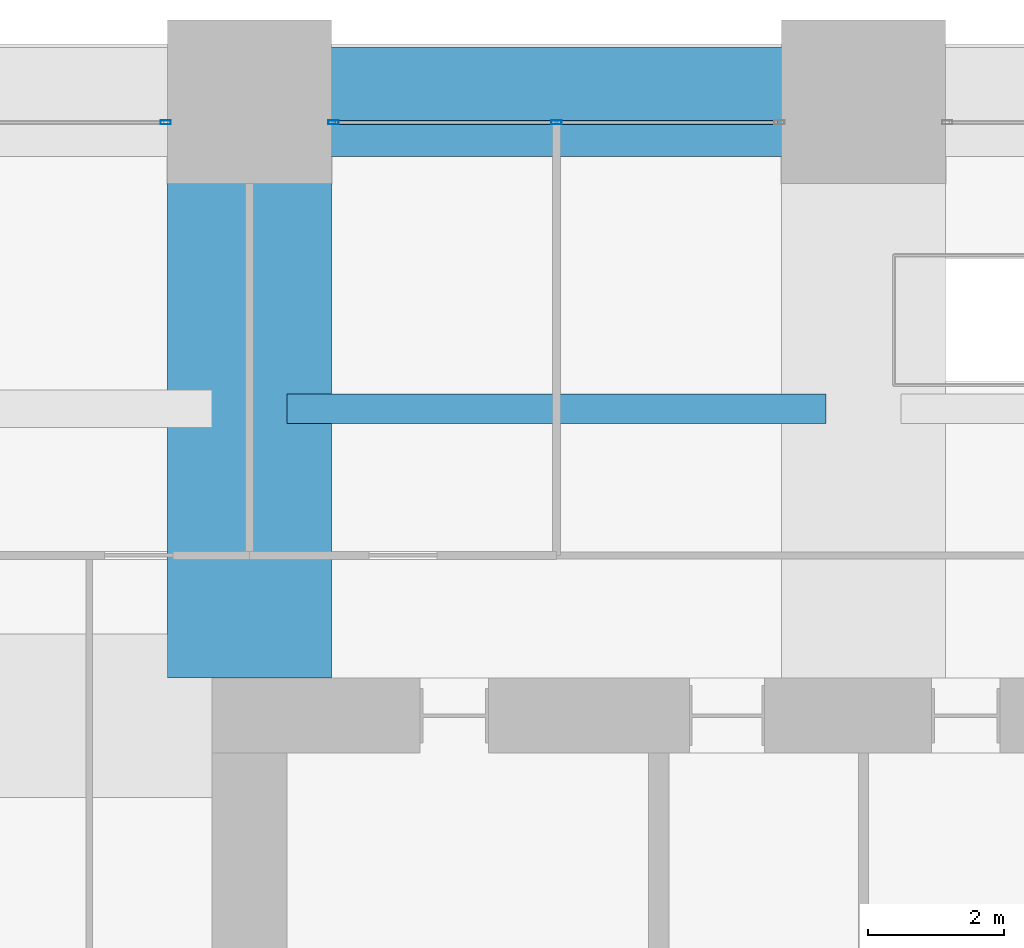
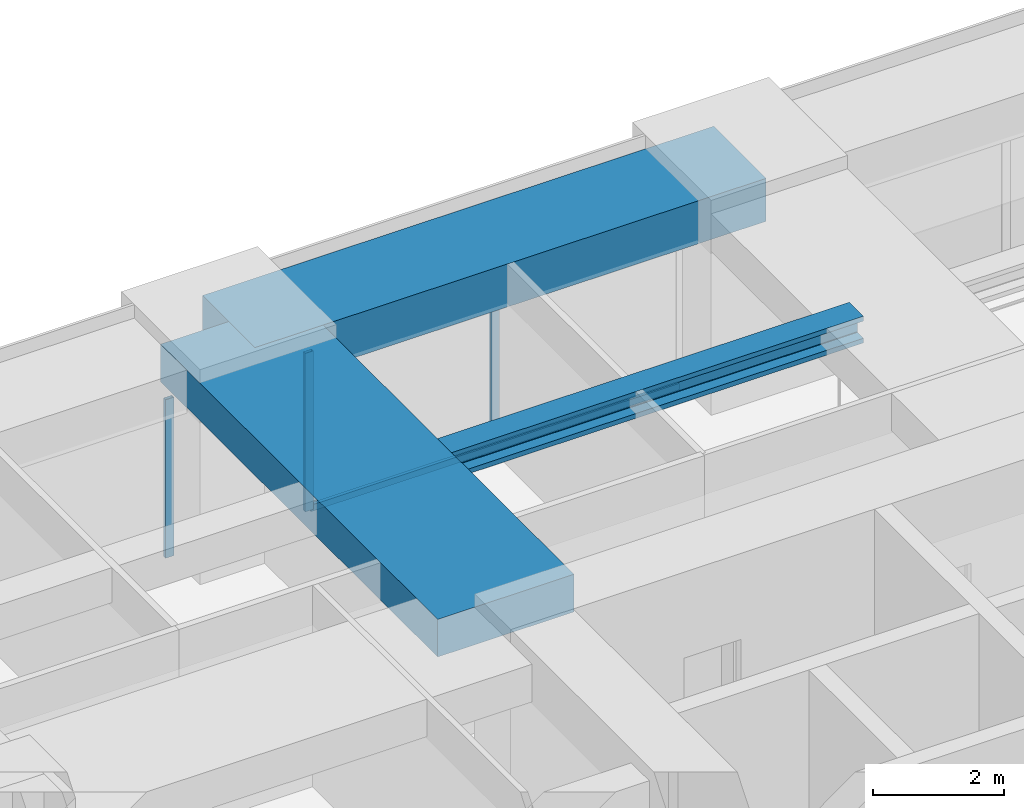
# One storey, part 23 of 35: 4 members, 3 beams, 2 elements without a shape of their own.
"""IFC4 building model written with IfcOpenShell, lengths in metres."""

import ifcopenshell
import ifcopenshell.guid

model = None  # the IFC model being written
_history = None  # IfcOwnerHistory: only IFC2X3 demands one
_inside = {}  # id of a spatial element -> (the spatial element, [elements in it])
_under = {}  # id of a project, library or spatial element -> (it, [spatial elements below it])
_declared = {}  # id of a project -> (the project, [libraries it declares])
_typed = {}  # id of a type object -> (the type object, [elements of that type])
_made_of = {}  # id of a material, layer set ... -> (it, [elements and type objects made of it])


def new_model(schema):
    """Start an empty IFC model of exactly this schema.

    Asked for "IFC4X3", IfcOpenShell would pick the latest addendum, in which some entities
    have other attributes; the version numbers below select the first issue.
    IFC2X3 requires an IfcOwnerHistory on every rooted entity: one is made here for all.
    """
    global model, _history
    if schema == "IFC4X3":
        model = ifcopenshell.file(schema_version=(4, 3, 0, 0))
    else:
        model = ifcopenshell.file(schema=schema)
    _inside.clear()
    _under.clear()
    _declared.clear()
    _typed.clear()
    _made_of.clear()
    _history = None
    if model.schema == "IFC2X3":
        org = make("IfcOrganization", Name="unknown")
        user = make(
            "IfcPersonAndOrganization",
            ThePerson=make("IfcPerson", FamilyName="unknown"),
            TheOrganization=org,
        )
        app = make(
            "IfcApplication",
            ApplicationDeveloper=org,
            Version="unknown",
            ApplicationFullName="unknown",
            ApplicationIdentifier="unknown",
        )
        _history = make(
            "IfcOwnerHistory",
            OwningUser=user,
            OwningApplication=app,
            ChangeAction="ADDED",
            CreationDate=0,
        )
    return model


def make(cls, **values):
    """One entity of the class cls with the attributes given. An attribute that is None is left unset."""
    return model.create_entity(
        cls, **{name: value for name, value in values.items() if value is not None}
    )


def rooted(cls, **values):
    """An entity with a GlobalId (a new one), such as an element, a storey or a relation."""
    return make(cls, GlobalId=ifcopenshell.guid.new(), OwnerHistory=_history, **values)


def si_unit(unit_type, name, prefix=None):
    """IfcSIUnit, for example si_unit("LENGTHUNIT", "METRE", prefix="MILLI")."""
    return make("IfcSIUnit", UnitType=unit_type, Prefix=prefix, Name=name)


def assignment(units):
    """IfcUnitAssignment: the units of a project."""
    return None if units is None else make("IfcUnitAssignment", Units=units)


def point(xyz):
    """IfcCartesianPoint."""
    return None if xyz is None else make("IfcCartesianPoint", Coordinates=xyz)


def direction(xyz):
    """IfcDirection."""
    return None if xyz is None else make("IfcDirection", DirectionRatios=xyz)


def frame(location, z_axis=None, x_axis=None):
    """IfcAxis2Placement3D, a coordinate frame: its origin and axes. An axis left out is left unset."""
    return make(
        "IfcAxis2Placement3D",
        Location=point(location),
        Axis=direction(z_axis),
        RefDirection=direction(x_axis),
    )


def frame_2d(location, x_axis=None):
    """IfcAxis2Placement2D, a coordinate frame in the plane: its origin and x axis."""
    return make(
        "IfcAxis2Placement2D", Location=point(location), RefDirection=direction(x_axis)
    )


def origin():
    """The frame at (0, 0, 0) with its axes left unset."""
    return frame((0.0, 0.0, 0.0))


def origin_2d():
    """The frame at (0, 0) in the plane with its x axis left unset."""
    return frame_2d((0.0, 0.0))


def place(relative_to, where):
    """IfcLocalPlacement: puts the frame where relative to a parent placement (None: the world)."""
    return make(
        "IfcLocalPlacement", PlacementRelTo=relative_to, RelativePlacement=where
    )


def context(
    kind, dimensions, precision=None, world=None, true_north=None, identifier=None
):
    """IfcGeometricRepresentationContext, for example the 3D "Model" context."""
    return make(
        "IfcGeometricRepresentationContext",
        ContextIdentifier=identifier,
        ContextType=kind,
        CoordinateSpaceDimension=dimensions,
        Precision=precision,
        WorldCoordinateSystem=world,
        TrueNorth=true_north,
    )


def subcontext(parent, identifier, kind, view, scale=None):
    """IfcGeometricRepresentationSubContext, for example "Body" below "Model"."""
    return make(
        "IfcGeometricRepresentationSubContext",
        ContextIdentifier=identifier,
        ContextType=kind,
        ParentContext=parent,
        TargetScale=scale,
        TargetView=view,
    )


def project(units=None, contexts=None):
    """IfcProject with its units and contexts."""
    return rooted(
        "IfcProject",
        Name="project",
        RepresentationContexts=contexts,
        UnitsInContext=assignment(units),
    )


def spatial(cls, under=None, at=None, **own):
    """A site, building, storey or space (cls), placed at a placement, below another one or the project."""
    s = rooted(cls, ObjectPlacement=at, **own)
    if under is not None:
        _under.setdefault(under.id(), (under, []))[1].append(s)
    return s


def profile(cls, at=None, kind="AREA", **sizes):
    """A parametric profile (cls). Its sizes go by their IFC names, for example OverallWidth=200.0."""
    return make(cls, ProfileType=kind, Position=at, **sizes)


def rectangle(**sizes):
    """IfcRectangleProfileDef."""
    return profile("IfcRectangleProfileDef", **sizes)


def hollow_rectangle(**sizes):
    """IfcRectangleHollowProfileDef."""
    return profile("IfcRectangleHollowProfileDef", **sizes)


def i_section(**sizes):
    """IfcIShapeProfileDef."""
    return profile("IfcIShapeProfileDef", **sizes)


def extrude(swept, where, along, depth):
    """IfcExtrudedAreaSolid: the profile swept, set in the frame where, extruded along a direction by depth."""
    return make(
        "IfcExtrudedAreaSolid",
        SweptArea=swept,
        Position=where,
        ExtrudedDirection=direction(along),
        Depth=depth,
    )


def shape(context_of_items, identifier, shape_type, items):
    """IfcShapeRepresentation: the items that make up one representation, for example the "Body"."""
    return make(
        "IfcShapeRepresentation",
        ContextOfItems=context_of_items,
        RepresentationIdentifier=identifier,
        RepresentationType=shape_type,
        Items=items,
    )


def material(Name=None, Category=None):
    """IfcMaterial."""
    return make("IfcMaterial", Name=Name, Category=Category)


def material_profile(
    of_material, cross_section, Name=None, Category=None, Priority=None
):
    """IfcMaterialProfile: a cross section and its material."""
    return make(
        "IfcMaterialProfile",
        Name=Name,
        Material=of_material,
        Profile=cross_section,
        Priority=Priority,
        Category=Category,
    )


def profile_set(profiles, Name=None, composite=None):
    """IfcMaterialProfileSet."""
    return make(
        "IfcMaterialProfileSet",
        Name=Name,
        MaterialProfiles=profiles,
        CompositeProfile=composite,
    )


def made_of(thing, what):
    """Note that an element or type object is made of a material, layer set ...; save() writes the relation."""
    if what is not None:
        _made_of.setdefault(what.id(), (what, []))[1].append(thing)
    return thing


def type_object(cls, material=None, **own):
    """A type object (cls), such as IfcWallType, which elements share."""
    return made_of(rooted(cls, **own), material)


def element(
    cls,
    number,
    at=None,
    inside=None,
    cuts=None,
    type_object=None,
    material=None,
    context=None,
    identifier="Body",
    shape_type=None,
    held_by="IfcProductDefinitionShape",
    body=None,
    shapes=None,
    **own,
):
    """One element of the class cls, such as IfcWall. Its Tag is "e" and its number.

    at: its placement. inside: the storey or other place that contains it. cuts: it is an
    opening in that element (IfcRelVoidsElement). A single representation is given by context,
    identifier, shape_type and body (its items); several are given by shapes. held_by: the class
    of the entity that holds the representations. save() writes the other relations.
    """
    e = rooted(cls, Tag="e%d" % number, ObjectPlacement=at, **own)
    if body is not None:
        shapes = [shape(context, identifier, shape_type, body)]
    if shapes is not None:
        e.Representation = make(held_by, Representations=shapes)
    if inside is not None:
        _inside.setdefault(inside.id(), (inside, []))[1].append(e)
    if cuts is not None:
        rooted(
            "IfcRelVoidsElement", RelatingBuildingElement=cuts, RelatedOpeningElement=e
        )
    if type_object is not None:
        _typed.setdefault(type_object.id(), (type_object, []))[1].append(e)
    return made_of(e, material)


def aggregate(whole, parts):
    """IfcRelAggregates: a whole, such as a stair, and the parts it consists of."""
    return rooted("IfcRelAggregates", RelatingObject=whole, RelatedObjects=parts)


def save(model, path):
    """Write the relations noted so far, then the file.

    IfcRelAggregates (storeys below a building ...), IfcRelContainedInSpatialStructure (elements
    in a storey), IfcRelDefinesByType, IfcRelAssociatesMaterial and IfcRelDeclares: one each for
    every whole, place, type object, material and project.
    """
    for whole, parts in _under.values():
        aggregate(whole, parts)
    for where, things in _inside.values():
        rooted(
            "IfcRelContainedInSpatialStructure",
            RelatedElements=things,
            RelatingStructure=where,
        )
    for kind, things in _typed.values():
        rooted("IfcRelDefinesByType", RelatedObjects=things, RelatingType=kind)
    for what, things in _made_of.values():
        rooted("IfcRelAssociatesMaterial", RelatedObjects=things, RelatingMaterial=what)
    for by, libraries in _declared.values():
        rooted("IfcRelDeclares", RelatingContext=by, RelatedDefinitions=libraries)
    model.write(path)


model = new_model("IFC4")

# Units and contexts
model_context = context("Model", 3, precision=1e-05, world=origin(), true_north=direction((0.0, 1.0)))
body_context = subcontext(model_context, "Body", "Model", "MODEL_VIEW")
ifc_project = project(units=[si_unit("LENGTHUNIT", "METRE"), si_unit("AREAUNIT", "SQUARE_METRE"), si_unit("VOLUMEUNIT", "CUBIC_METRE"), si_unit("PLANEANGLEUNIT", "RADIAN"), si_unit("MASSUNIT", "GRAM", prefix="KILO")], contexts=[model_context])

# Site, building, storey
site_placement = place(None, origin())
site = spatial("IfcSite", under=ifc_project, at=site_placement, CompositionType="ELEMENT")
building_placement = place(site_placement, origin())
building = spatial("IfcBuilding", under=site, at=building_placement, Name="Zorevar Civic Tower", CompositionType="ELEMENT")
storey_placement = place(building_placement, frame((0.0, 0.0, 218.199951171875)))
storey = spatial("IfcBuildingStorey", under=building, at=storey_placement, Name="L53", CompositionType="ELEMENT", Elevation=218.199951171875)

# Beam
ifc_material_1 = material(Name="Concrete C50/60", Category="concrete")
ifc_material_profile_1 = material_profile(ifc_material_1, rectangle(XDim=2.39990234375, YDim=0.699951171875, at=origin_2d()), Name="RC 2400x700")
ifc_profile_set_1 = profile_set([ifc_material_profile_1], Name="Concrete C50/60")
beam_type_1 = type_object("IfcBeamType", Name="Beam RC 2400x700", PredefinedType="BEAM", material=ifc_profile_set_1)
beam_1_placement = place(storey_placement, frame((18.0, 36.550048828125, 3.400146484375), z_axis=(0.0, 1.0, 0.0), x_axis=(-1.0, 0.0, 0.0)))
element("IfcBeam", 1, at=beam_1_placement, inside=storey, type_object=beam_type_1, Name="Girder L54", PredefinedType="BEAM", context=body_context, shape_type="SweptSolid", body=[
    extrude(rectangle(XDim=2.39990234375, YDim=0.699951171875, at=origin_2d()), origin(), (0.0, 0.0, 1.0), 8.449951171875),
])

# Curtain wall, member
ifc_material_2 = material(Name="Dark grey solar-control glass in black aluminium frame", Category="aluminium")
curtain_wall_type = type_object("IfcCurtainWallType", Name="Curtain wall CW4 high zone", PredefinedType="NOTDEFINED", material=ifc_material_2)
curtain_wall_1_placement = place(storey_placement, origin())
curtain_wall_1 = element("IfcCurtainWall", 2, at=curtain_wall_1_placement, inside=storey, type_object=curtain_wall_type, Name="CW4 L53", PredefinedType="NOTDEFINED")
ifc_material_3 = material(Name="Aluminium, black anodised", Category="aluminium")
ifc_material_profile_2 = material_profile(ifc_material_3, hollow_rectangle(XDim=0.06005859375, YDim=0.14990234375, WallThickness=0.00390625, at=origin_2d()), Name="AL 150x60x4")
ifc_profile_set_2 = profile_set([ifc_material_profile_2], Name="Aluminium, black anodised")
member_type_1 = type_object("IfcMemberType", Name="CW4 mullion AL 150x60x4", PredefinedType="MULLION", material=ifc_profile_set_2)
member_1_placement = place(storey_placement, frame((16.77001953125, 44.699951171875, 0.0), z_axis=(0.0, 0.0, 1.0), x_axis=(0.0, 1.0, 0.0)))
member_1 = element("IfcMember", 3, at=member_1_placement, type_object=member_type_1, Name="CW4 mullion 3", PredefinedType="MULLION", context=body_context, shape_type="SweptSolid", body=[
    extrude(hollow_rectangle(XDim=0.06005859375, YDim=0.14990234375, WallThickness=0.00390625, at=origin_2d()), origin(), (0.0, 0.0, 1.0), 2.949951171875),
])
aggregate(curtain_wall_1, [member_1])

# Curtain wall, members
curtain_wall_2_placement = place(storey_placement, origin())
curtain_wall_2 = element("IfcCurtainWall", 4, at=curtain_wall_2_placement, inside=storey, type_object=curtain_wall_type, Name="CW4 L53", PredefinedType="NOTDEFINED")
member_2_placement = place(storey_placement, frame((19.22998046875, 44.699951171875, 0.0), z_axis=(0.0, 0.0, 1.0), x_axis=(0.0, 1.0, 0.0)))
member_2 = element("IfcMember", 5, at=member_2_placement, type_object=member_type_1, Name="CW4 mullion 1", PredefinedType="MULLION", context=body_context, shape_type="SweptSolid", body=[
    extrude(hollow_rectangle(XDim=0.06005859375, YDim=0.14990234375, WallThickness=0.00390625, at=origin_2d()), origin(), (0.0, 0.0, 1.0), 2.949951171875),
])
member_3_placement = place(storey_placement, frame((22.5, 44.699951171875, 0.06005859375), z_axis=(0.0, 0.0, 1.0), x_axis=(0.0, 1.0, 0.0)))
member_3 = element("IfcMember", 6, at=member_3_placement, type_object=member_type_1, Name="CW4 mullion 2", PredefinedType="MULLION", context=body_context, shape_type="SweptSolid", body=[
    extrude(hollow_rectangle(XDim=0.06005859375, YDim=0.14990234375, WallThickness=0.00390625, at=origin_2d()), origin(), (0.0, 0.0, 1.0), 2.889892578125),
])
ifc_material_4 = material(Name="Aluminium, black anodised", Category="aluminium")
ifc_material_profile_3 = material_profile(ifc_material_4, hollow_rectangle(XDim=0.06005859375, YDim=0.1201171875, WallThickness=0.0029296875, at=origin_2d()), Name="AL 120x60x3")
ifc_profile_set_3 = profile_set([ifc_material_profile_3], Name="Aluminium, black anodised")
member_type_2 = type_object("IfcMemberType", Name="CW4 transom AL 120x60x3", PredefinedType="USERDEFINED", material=ifc_profile_set_3)
member_4_placement = place(storey_placement, frame((19.260009765625, 44.699951171875, 0.030029296875), z_axis=(1.0, 0.0, 0.0), x_axis=(0.0, 1.0, 0.0)))
member_4 = element("IfcMember", 7, at=member_4_placement, type_object=member_type_2, Name="CW4 sill transom", ObjectType="TRANSOM", PredefinedType="USERDEFINED", context=body_context, shape_type="SweptSolid", body=[
    extrude(hollow_rectangle(XDim=0.06005859375, YDim=0.1201171875, WallThickness=0.0029296875, at=origin_2d()), origin(), (0.0, 0.0, 1.0), 6.47998046875),
])
aggregate(curtain_wall_2, [member_2, member_3, member_4])

# Beams
ifc_material_5 = material(Name="Steel S460M (HISTAR 460)", Category="steel")
ifc_material_profile_4 = material_profile(ifc_material_5, i_section(OverallWidth=0.431884765625, OverallDepth=0.498046875, WebThickness=0.0556640625, FlangeThickness=0.0888671875, FilletRadius=0.014892578125, at=origin_2d()), Name="HD 400x744")
ifc_profile_set_4 = profile_set([ifc_material_profile_4], Name="Steel S460M (HISTAR 460)")
beam_type_2 = type_object("IfcBeamType", Name="Core bay beam HD 400x744", PredefinedType="BEAM", material=ifc_profile_set_4)
beam_2_placement = place(storey_placement, frame((18.550048828125, 40.5, 3.5009765625), z_axis=(1.0, 0.0, 0.0), x_axis=(0.0, 1.0, 0.0)))
element("IfcBeam", 8, at=beam_2_placement, inside=storey, type_object=beam_type_2, Name="Secondary beam L54", PredefinedType="BEAM", context=body_context, shape_type="SweptSolid", body=[
    extrude(i_section(OverallWidth=0.431884765625, OverallDepth=0.498046875, WebThickness=0.0556640625, FlangeThickness=0.0888671875, FilletRadius=0.014892578125, at=origin_2d()), origin(), (0.0, 0.0, 1.0), 7.89990234375),
])
ifc_material_6 = material(Name="Concrete C50/60", Category="concrete")
ifc_material_profile_5 = material_profile(ifc_material_6, rectangle(XDim=1.60009765625, YDim=0.800048828125, at=origin_2d()), Name="RC 1600x800")
ifc_profile_set_5 = profile_set([ifc_material_profile_5], Name="Concrete C50/60")
beam_type_3 = type_object("IfcBeamType", Name="Edge beam RC 1600x800", PredefinedType="SPANDREL", material=ifc_profile_set_5)
beam_3_placement = place(storey_placement, frame((18.0, 45.0, 3.35009765625), z_axis=(1.0, 0.0, 0.0), x_axis=(0.0, 1.0, 0.0)))
element("IfcBeam", 9, at=beam_3_placement, inside=storey, type_object=beam_type_3, Name="Edge beam L54", PredefinedType="SPANDREL", context=body_context, shape_type="SweptSolid", body=[
    extrude(rectangle(XDim=1.60009765625, YDim=0.800048828125, at=origin_2d()), origin(), (0.0, 0.0, 1.0), 9.0),
])

save(model, "model.ifc")
